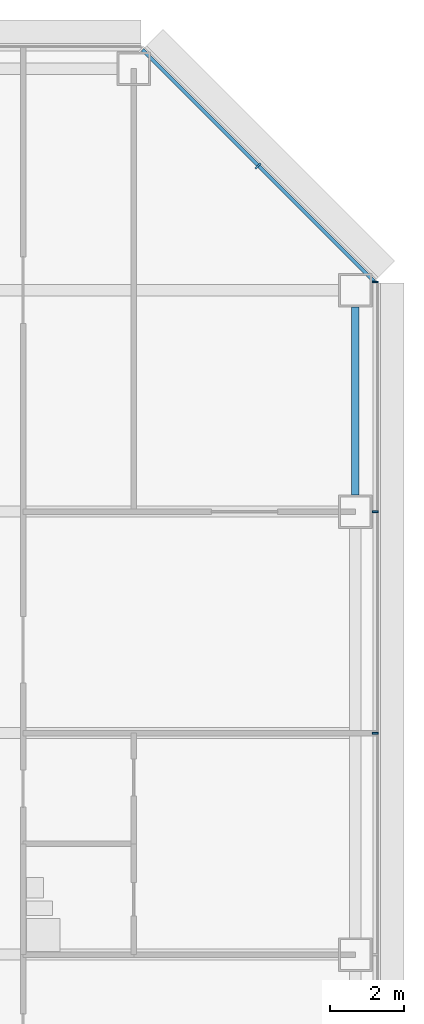
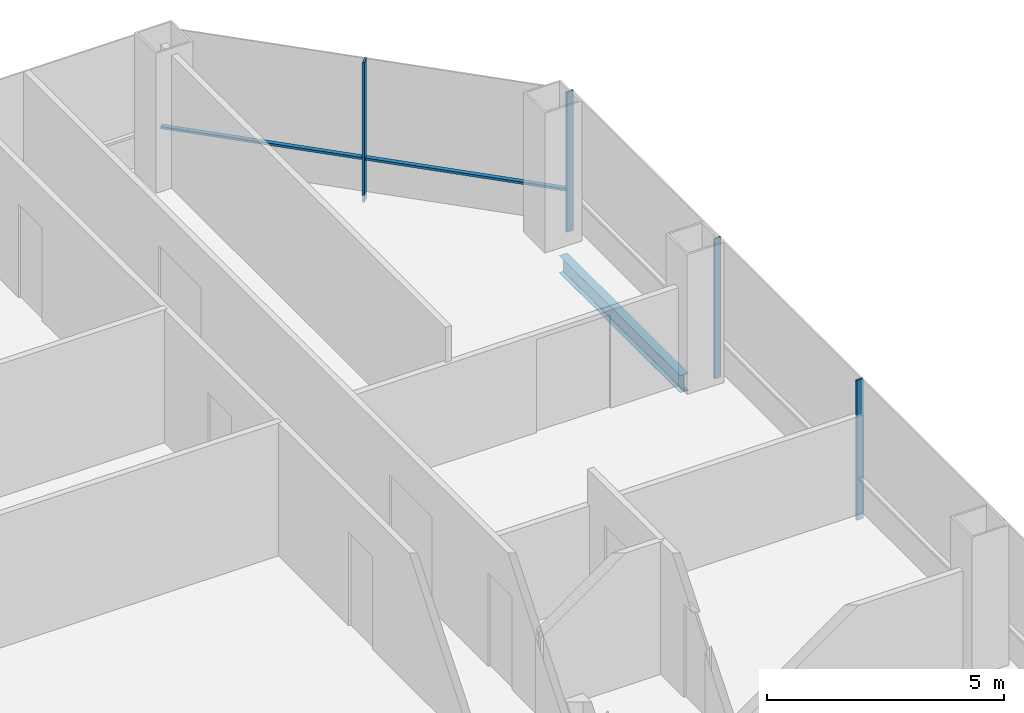
# One storey, part 18 of 27: 5 members, 1 beam, 2 elements without a shape of their own.
"""IFC4 building model written with IfcOpenShell, lengths in metres."""

from ifc_helpers import new_model, si_unit, direction, frame, origin, origin_2d, place, context, subcontext, project, spatial, rectangle, i_section, extrude, material, material_profile, profile_set, type_object, element, aggregate, save


model = new_model("IFC4")

# Units and contexts
model_context = context("Model", 3, precision=1e-05, world=origin(), true_north=direction((0.0, 1.0)))
body_context = subcontext(model_context, "Body", "Model", "MODEL_VIEW")
ifc_project = project(units=[si_unit("LENGTHUNIT", "METRE"), si_unit("AREAUNIT", "SQUARE_METRE"), si_unit("VOLUMEUNIT", "CUBIC_METRE"), si_unit("PLANEANGLEUNIT", "RADIAN"), si_unit("MASSUNIT", "GRAM", prefix="KILO")], contexts=[model_context])

# Site, building, storey
site_placement = place(None, origin())
site = spatial("IfcSite", under=ifc_project, at=site_placement, CompositionType="ELEMENT")
building_placement = place(site_placement, origin())
building = spatial("IfcBuilding", under=site, at=building_placement, Name="Sorahane Residences", CompositionType="ELEMENT")
storey_placement = place(building_placement, frame((0.0, 0.0, 57.0)))
storey = spatial("IfcBuildingStorey", under=building, at=storey_placement, Name="L10", CompositionType="ELEMENT", Elevation=57.0)

# Curtain wall, members
ifc_material_1 = material(Name="Dark low-e glass and black anodised aluminium", Category="aluminium")
curtain_wall_type_1 = type_object("IfcCurtainWallType", Name="Curtain wall CW-1 Typical unitised wall", PredefinedType="NOTDEFINED", material=ifc_material_1)
curtain_wall_1_placement = place(storey_placement, origin())
curtain_wall_1 = element("IfcCurtainWall", 1, at=curtain_wall_1_placement, inside=storey, type_object=curtain_wall_type_1, Name="CW-1 curtain wall L10 E1", PredefinedType="NOTDEFINED")
ifc_material_2 = material(Name="Black anodised aluminium", Category="aluminium")
ifc_material_profile_1 = material_profile(ifc_material_2, rectangle(XDim=0.159912109375, YDim=0.050048828125, at=origin_2d()), Name="Curtain wall mullion CW-1 black anodised aluminium 50x160")
ifc_profile_set_1 = profile_set([ifc_material_profile_1], Name="Black anodised aluminium")
member_type_1 = type_object("IfcMemberType", Name="Curtain wall mullion CW-1 black anodised aluminium 50x160", PredefinedType="MULLION", material=ifc_profile_set_1)
member_1_placement = place(storey_placement, frame((66.5400390625, 30.0, -0.179931640625), z_axis=(0.0, 0.0, 1.0), x_axis=(1.0, 0.0, 0.0)))
member_1 = element("IfcMember", 2, at=member_1_placement, type_object=member_type_1, Name="CW-1 mullion L10 E1.5", PredefinedType="MULLION", context=body_context, shape_type="SweptSolid", body=[
    extrude(rectangle(XDim=0.159912109375, YDim=0.050048828125, at=origin_2d()), origin(), (0.0, 0.0, 1.0), 3.599853515625),
])
member_2_placement = place(storey_placement, frame((66.5400390625, 36.0, -0.179931640625), z_axis=(0.0, 0.0, 1.0), x_axis=(1.0, 0.0, 0.0)))
member_2 = element("IfcMember", 3, at=member_2_placement, type_object=member_type_1, Name="CW-1 mullion L10 E1.6", PredefinedType="MULLION", context=body_context, shape_type="SweptSolid", body=[
    extrude(rectangle(XDim=0.159912109375, YDim=0.050048828125, at=origin_2d()), origin(), (0.0, 0.0, 1.0), 3.599853515625),
])
member_3_placement = place(storey_placement, frame((66.5400390625, 42.2236328125, -0.179931640625), z_axis=(0.0, 0.0, 1.0), x_axis=(1.0, 0.0, 0.0)))
member_3 = element("IfcMember", 4, at=member_3_placement, type_object=member_type_1, Name="CW-1 mullion L10 E1.7", PredefinedType="MULLION", context=body_context, shape_type="SweptSolid", body=[
    extrude(rectangle(XDim=0.159912109375, YDim=0.050048828125, at=origin_2d()), origin(), (0.0, 0.0, 1.0), 3.599853515625),
])
aggregate(curtain_wall_1, [member_1, member_2, member_3])

ifc_material_3 = material(Name="Dark low-e glass and black anodised aluminium", Category="aluminium")
curtain_wall_type_2 = type_object("IfcCurtainWallType", Name="Curtain wall CW-2 Chamfer unitised wall", PredefinedType="NOTDEFINED", material=ifc_material_3)
curtain_wall_2_placement = place(storey_placement, origin())
curtain_wall_2 = element("IfcCurtainWall", 5, at=curtain_wall_2_placement, inside=storey, type_object=curtain_wall_type_2, Name="CW-2 curtain wall L10 NE1", PredefinedType="NOTDEFINED")
ifc_material_4 = material(Name="Black anodised aluminium", Category="aluminium")
ifc_material_profile_2 = material_profile(ifc_material_4, rectangle(XDim=0.199951171875, YDim=0.050048828125, at=origin_2d()), Name="Curtain wall mullion CW-2 black anodised aluminium 50x200")
ifc_profile_set_2 = profile_set([ifc_material_profile_2], Name="Black anodised aluminium")
member_type_2 = type_object("IfcMemberType", Name="Curtain wall mullion CW-2 black anodised aluminium 50x200", PredefinedType="MULLION", material=ifc_profile_set_2)
member_4_placement = place(storey_placement, frame((63.36767578125, 45.36767578125, -0.179931640625), z_axis=(0.0, 0.0, 1.0), x_axis=(0.707106781187, 0.707106781187, 0.0)))
member_4 = element("IfcMember", 6, at=member_4_placement, type_object=member_type_2, Name="CW-2 mullion L10 NE1.2", PredefinedType="MULLION", context=body_context, shape_type="SweptSolid", body=[
    extrude(rectangle(XDim=0.199951171875, YDim=0.050048828125, at=origin_2d()), origin(), (0.0, 0.0, 1.0), 3.599853515625),
])
ifc_material_5 = material(Name="Black anodised aluminium", Category="aluminium")
ifc_material_profile_3 = material_profile(ifc_material_5, rectangle(XDim=0.10009765625, YDim=0.06005859375, at=origin_2d()), Name="Curtain wall transom CW-2 black anodised aluminium 60x100")
ifc_profile_set_3 = profile_set([ifc_material_profile_3], Name="Black anodised aluminium")
member_type_3 = type_object("IfcMemberType", Name="Curtain wall transom CW-2 black anodised aluminium 60x100", PredefinedType="USERDEFINED", material=ifc_profile_set_3)
member_5_placement = place(storey_placement, frame((66.51513671875, 42.234375, 0.89990234375), z_axis=(-0.707106781187, 0.707106781187, 0.0), x_axis=(-0.707106781187, -0.707106781187, 0.0)))
member_5 = element("IfcMember", 7, at=member_5_placement, type_object=member_type_3, Name="CW-2 transom L10 NE1", ObjectType="TRANSOM", PredefinedType="USERDEFINED", context=body_context, shape_type="SweptSolid", body=[
    extrude(rectangle(XDim=0.10009765625, YDim=0.06005859375, at=origin_2d()), origin(), (0.0, 0.0, 1.0), 8.88232421875),
])
aggregate(curtain_wall_2, [member_4, member_5])

# Beam
ifc_material_6 = material(Name="Steel Q355B", Category="steel")
ifc_material_profile_4 = material_profile(ifc_material_6, i_section(OverallWidth=0.199951171875, OverallDepth=0.449951171875, WebThickness=0.009033203125, FlangeThickness=0.013916015625, FilletRadius=0.02001953125, at=origin_2d()), Name="HN 450x200x9x14")
ifc_profile_set_4 = profile_set([ifc_material_profile_4], Name="Steel Q355B")
beam_type = type_object("IfcBeamType", Name="Steel floor beam HN 450x200x9x14 Q355B", PredefinedType="BEAM", material=ifc_profile_set_4)
beam_placement = place(storey_placement, frame((66.0, 36.449951171875, -0.405029296875), z_axis=(0.0, 1.0, 0.0), x_axis=(-1.0, 0.0, 0.0)))
element("IfcBeam", 8, at=beam_placement, inside=storey, type_object=beam_type, Name="Beam L10 060", PredefinedType="BEAM", context=body_context, shape_type="SweptSolid", body=[
    extrude(i_section(OverallWidth=0.199951171875, OverallDepth=0.449951171875, WebThickness=0.009033203125, FlangeThickness=0.013916015625, FilletRadius=0.02001953125, at=origin_2d()), origin(), (0.0, 0.0, 1.0), 5.10009765625),
])

save(model, "model.ifc")
